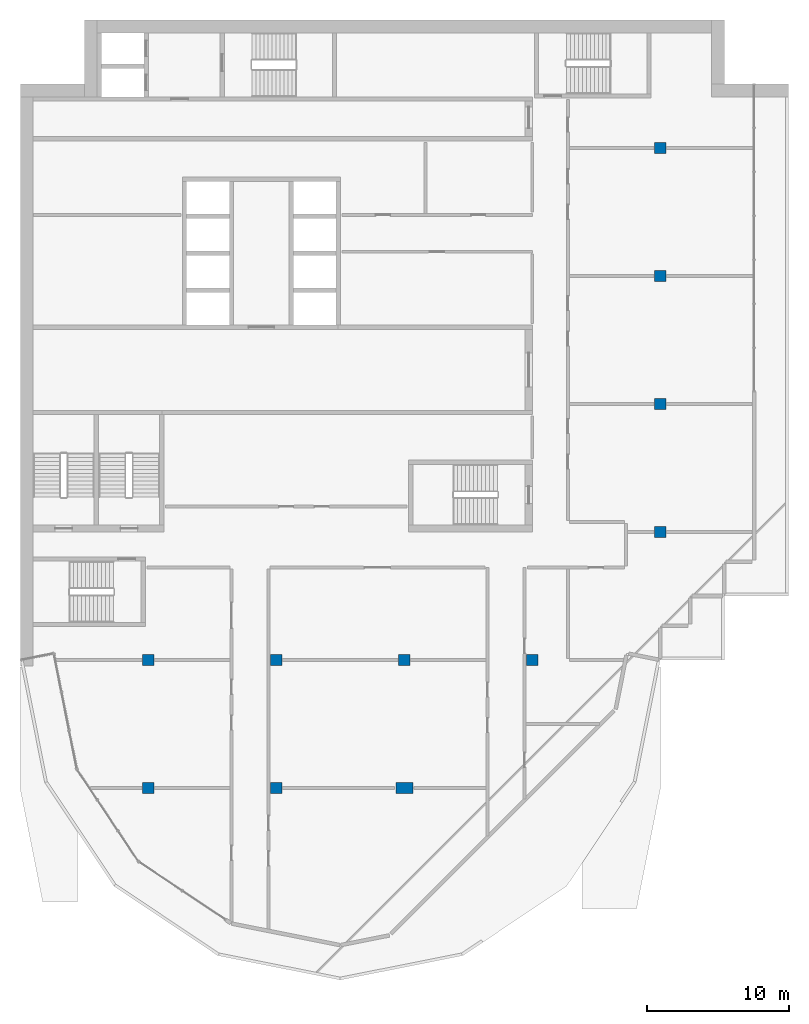
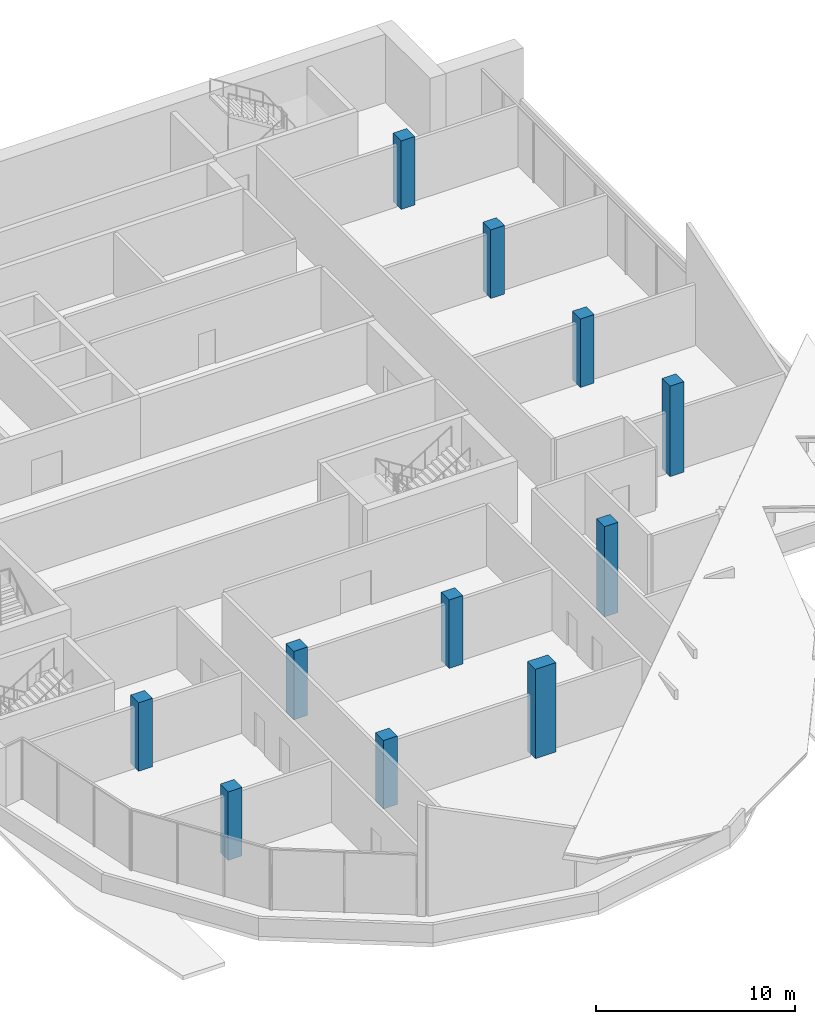
# One storey, part 1 of 11: 11 columns.
"""IFC4 building model written with IfcOpenShell, lengths in metres."""

import ifcopenshell
import ifcopenshell.guid

model = None  # the IFC model being written
_history = None  # IfcOwnerHistory: only IFC2X3 demands one
_inside = {}  # id of a spatial element -> (the spatial element, [elements in it])
_under = {}  # id of a project, library or spatial element -> (it, [spatial elements below it])
_declared = {}  # id of a project -> (the project, [libraries it declares])
_typed = {}  # id of a type object -> (the type object, [elements of that type])
_made_of = {}  # id of a material, layer set ... -> (it, [elements and type objects made of it])


def new_model(schema):
    """Start an empty IFC model of exactly this schema.

    Asked for "IFC4X3", IfcOpenShell would pick the latest addendum, in which some entities
    have other attributes; the version numbers below select the first issue.
    IFC2X3 requires an IfcOwnerHistory on every rooted entity: one is made here for all.
    """
    global model, _history
    if schema == "IFC4X3":
        model = ifcopenshell.file(schema_version=(4, 3, 0, 0))
    else:
        model = ifcopenshell.file(schema=schema)
    _inside.clear()
    _under.clear()
    _declared.clear()
    _typed.clear()
    _made_of.clear()
    _history = None
    if model.schema == "IFC2X3":
        org = make("IfcOrganization", Name="unknown")
        user = make(
            "IfcPersonAndOrganization",
            ThePerson=make("IfcPerson", FamilyName="unknown"),
            TheOrganization=org,
        )
        app = make(
            "IfcApplication",
            ApplicationDeveloper=org,
            Version="unknown",
            ApplicationFullName="unknown",
            ApplicationIdentifier="unknown",
        )
        _history = make(
            "IfcOwnerHistory",
            OwningUser=user,
            OwningApplication=app,
            ChangeAction="ADDED",
            CreationDate=0,
        )
    return model


def make(cls, **values):
    """One entity of the class cls with the attributes given. An attribute that is None is left unset."""
    return model.create_entity(
        cls, **{name: value for name, value in values.items() if value is not None}
    )


def rooted(cls, **values):
    """An entity with a GlobalId (a new one), such as an element, a storey or a relation."""
    return make(cls, GlobalId=ifcopenshell.guid.new(), OwnerHistory=_history, **values)


def si_unit(unit_type, name, prefix=None):
    """IfcSIUnit, for example si_unit("LENGTHUNIT", "METRE", prefix="MILLI")."""
    return make("IfcSIUnit", UnitType=unit_type, Prefix=prefix, Name=name)


def assignment(units):
    """IfcUnitAssignment: the units of a project."""
    return None if units is None else make("IfcUnitAssignment", Units=units)


def point(xyz):
    """IfcCartesianPoint."""
    return None if xyz is None else make("IfcCartesianPoint", Coordinates=xyz)


def direction(xyz):
    """IfcDirection."""
    return None if xyz is None else make("IfcDirection", DirectionRatios=xyz)


def frame(location, z_axis=None, x_axis=None):
    """IfcAxis2Placement3D, a coordinate frame: its origin and axes. An axis left out is left unset."""
    return make(
        "IfcAxis2Placement3D",
        Location=point(location),
        Axis=direction(z_axis),
        RefDirection=direction(x_axis),
    )


def frame_2d(location, x_axis=None):
    """IfcAxis2Placement2D, a coordinate frame in the plane: its origin and x axis."""
    return make(
        "IfcAxis2Placement2D", Location=point(location), RefDirection=direction(x_axis)
    )


def origin():
    """The frame at (0, 0, 0) with its axes left unset."""
    return frame((0.0, 0.0, 0.0))


def origin_2d():
    """The frame at (0, 0) in the plane with its x axis left unset."""
    return frame_2d((0.0, 0.0))


def place(relative_to, where):
    """IfcLocalPlacement: puts the frame where relative to a parent placement (None: the world)."""
    return make(
        "IfcLocalPlacement", PlacementRelTo=relative_to, RelativePlacement=where
    )


def context(
    kind, dimensions, precision=None, world=None, true_north=None, identifier=None
):
    """IfcGeometricRepresentationContext, for example the 3D "Model" context."""
    return make(
        "IfcGeometricRepresentationContext",
        ContextIdentifier=identifier,
        ContextType=kind,
        CoordinateSpaceDimension=dimensions,
        Precision=precision,
        WorldCoordinateSystem=world,
        TrueNorth=true_north,
    )


def subcontext(parent, identifier, kind, view, scale=None):
    """IfcGeometricRepresentationSubContext, for example "Body" below "Model"."""
    return make(
        "IfcGeometricRepresentationSubContext",
        ContextIdentifier=identifier,
        ContextType=kind,
        ParentContext=parent,
        TargetScale=scale,
        TargetView=view,
    )


def project(units=None, contexts=None):
    """IfcProject with its units and contexts."""
    return rooted(
        "IfcProject",
        Name="project",
        RepresentationContexts=contexts,
        UnitsInContext=assignment(units),
    )


def spatial(cls, under=None, at=None, **own):
    """A site, building, storey or space (cls), placed at a placement, below another one or the project."""
    s = rooted(cls, ObjectPlacement=at, **own)
    if under is not None:
        _under.setdefault(under.id(), (under, []))[1].append(s)
    return s


def profile(cls, at=None, kind="AREA", **sizes):
    """A parametric profile (cls). Its sizes go by their IFC names, for example OverallWidth=200.0."""
    return make(cls, ProfileType=kind, Position=at, **sizes)


def rectangle(**sizes):
    """IfcRectangleProfileDef."""
    return profile("IfcRectangleProfileDef", **sizes)


def extrude(swept, where, along, depth):
    """IfcExtrudedAreaSolid: the profile swept, set in the frame where, extruded along a direction by depth."""
    return make(
        "IfcExtrudedAreaSolid",
        SweptArea=swept,
        Position=where,
        ExtrudedDirection=direction(along),
        Depth=depth,
    )


def shape(context_of_items, identifier, shape_type, items):
    """IfcShapeRepresentation: the items that make up one representation, for example the "Body"."""
    return make(
        "IfcShapeRepresentation",
        ContextOfItems=context_of_items,
        RepresentationIdentifier=identifier,
        RepresentationType=shape_type,
        Items=items,
    )


def material(Name=None, Category=None):
    """IfcMaterial."""
    return make("IfcMaterial", Name=Name, Category=Category)


def material_profile(
    of_material, cross_section, Name=None, Category=None, Priority=None
):
    """IfcMaterialProfile: a cross section and its material."""
    return make(
        "IfcMaterialProfile",
        Name=Name,
        Material=of_material,
        Profile=cross_section,
        Priority=Priority,
        Category=Category,
    )


def profile_set(profiles, Name=None, composite=None):
    """IfcMaterialProfileSet."""
    return make(
        "IfcMaterialProfileSet",
        Name=Name,
        MaterialProfiles=profiles,
        CompositeProfile=composite,
    )


def made_of(thing, what):
    """Note that an element or type object is made of a material, layer set ...; save() writes the relation."""
    if what is not None:
        _made_of.setdefault(what.id(), (what, []))[1].append(thing)
    return thing


def type_object(cls, material=None, **own):
    """A type object (cls), such as IfcWallType, which elements share."""
    return made_of(rooted(cls, **own), material)


def element(
    cls,
    number,
    at=None,
    inside=None,
    cuts=None,
    type_object=None,
    material=None,
    context=None,
    identifier="Body",
    shape_type=None,
    held_by="IfcProductDefinitionShape",
    body=None,
    shapes=None,
    **own,
):
    """One element of the class cls, such as IfcWall. Its Tag is "e" and its number.

    at: its placement. inside: the storey or other place that contains it. cuts: it is an
    opening in that element (IfcRelVoidsElement). A single representation is given by context,
    identifier, shape_type and body (its items); several are given by shapes. held_by: the class
    of the entity that holds the representations. save() writes the other relations.
    """
    e = rooted(cls, Tag="e%d" % number, ObjectPlacement=at, **own)
    if body is not None:
        shapes = [shape(context, identifier, shape_type, body)]
    if shapes is not None:
        e.Representation = make(held_by, Representations=shapes)
    if inside is not None:
        _inside.setdefault(inside.id(), (inside, []))[1].append(e)
    if cuts is not None:
        rooted(
            "IfcRelVoidsElement", RelatingBuildingElement=cuts, RelatedOpeningElement=e
        )
    if type_object is not None:
        _typed.setdefault(type_object.id(), (type_object, []))[1].append(e)
    return made_of(e, material)


def aggregate(whole, parts):
    """IfcRelAggregates: a whole, such as a stair, and the parts it consists of."""
    return rooted("IfcRelAggregates", RelatingObject=whole, RelatedObjects=parts)


def save(model, path):
    """Write the relations noted so far, then the file.

    IfcRelAggregates (storeys below a building ...), IfcRelContainedInSpatialStructure (elements
    in a storey), IfcRelDefinesByType, IfcRelAssociatesMaterial and IfcRelDeclares: one each for
    every whole, place, type object, material and project.
    """
    for whole, parts in _under.values():
        aggregate(whole, parts)
    for where, things in _inside.values():
        rooted(
            "IfcRelContainedInSpatialStructure",
            RelatedElements=things,
            RelatingStructure=where,
        )
    for kind, things in _typed.values():
        rooted("IfcRelDefinesByType", RelatedObjects=things, RelatingType=kind)
    for what, things in _made_of.values():
        rooted("IfcRelAssociatesMaterial", RelatedObjects=things, RelatingMaterial=what)
    for by, libraries in _declared.values():
        rooted("IfcRelDeclares", RelatingContext=by, RelatedDefinitions=libraries)
    model.write(path)


model = new_model("IFC4")

# Units and contexts
model_context = context("Model", 3, precision=1e-05, world=origin(), true_north=direction((0.0, 1.0)))
body_context = subcontext(model_context, "Body", "Model", "MODEL_VIEW")
ifc_project = project(units=[si_unit("LENGTHUNIT", "METRE"), si_unit("AREAUNIT", "SQUARE_METRE"), si_unit("VOLUMEUNIT", "CUBIC_METRE"), si_unit("PLANEANGLEUNIT", "RADIAN"), si_unit("MASSUNIT", "GRAM", prefix="KILO")], contexts=[model_context])

# Site, building, storey
site_placement = place(None, origin())
site = spatial("IfcSite", under=ifc_project, at=site_placement, CompositionType="ELEMENT")
building_placement = place(site_placement, origin())
building = spatial("IfcBuilding", under=site, at=building_placement, Name="Hunhe Ridgeline Campus", CompositionType="ELEMENT")
storey_placement = place(building_placement, frame((0.0, 0.0, 303.0)))
storey = spatial("IfcBuildingStorey", under=building, at=storey_placement, Name="L78 Crown", CompositionType="ELEMENT", Elevation=303.0)

# Columns
ifc_material = material(Name="Concrete C50", Category="concrete")
ifc_material_profile_1 = material_profile(ifc_material, rectangle(XDim=1.199951171875, YDim=0.800048828125, at=origin_2d()))
ifc_profile_set_1 = profile_set([ifc_material_profile_1], Name="Concrete C50")
column_type_1 = type_object("IfcColumnType", Name="Megacolumn 1200x800 Concrete C50", PredefinedType="COLUMN", material=ifc_profile_set_1)
column_placement = place(storey_placement, frame((27.0, 45.0, 0.0), z_axis=(0.0, 0.0, 1.0), x_axis=(1.0, 0.0, 0.0)))
element("IfcColumn", 1, at=column_placement, inside=storey, type_object=column_type_1, Name="Column C19 F4 L78 Crown", PredefinedType="COLUMN", context=body_context, shape_type="SweptSolid", body=[
    extrude(rectangle(XDim=1.199951171875, YDim=0.800048828125, at=origin_2d()), origin(), (0.0, 0.0, 1.0), 5.4736328125),
])
ifc_material_profile_2 = material_profile(ifc_material, rectangle(XDim=0.800048828125, YDim=0.800048828125, at=origin_2d()))
ifc_profile_set_2 = profile_set([ifc_material_profile_2], Name="Concrete C50")
column_type_2 = type_object("IfcColumnType", Name="RC column 800x800 Concrete C50", PredefinedType="COLUMN", material=ifc_profile_set_2)
for number, where, z_axis, x_axis, name in (
    (2, (9.0, 45.0, 0.0), (0.0, 0.0, 1.0), (1.0, 0.0, 0.0), "Column C17 F2 L78 Crown"),
    (3, (9.0, 54.0, 0.0), (0.0, 0.0, 1.0), (1.0, 0.0, 0.0), "Column C17 G2 L78 Crown"),
    (4, (18.0, 45.0, 0.0), (0.0, 0.0, 1.0), (1.0, 0.0, 0.0), "Column C17 F3 L78 Crown"),
    (5, (18.0, 54.0, 0.0), (0.0, 0.0, 1.0), (1.0, 0.0, 0.0), "Column C17 G3 L78 Crown"),
    (6, (27.0, 54.0, 0.0), (0.0, 0.0, 1.0), (1.0, 0.0, 0.0), "Column C17 G4 L78 Crown"),
):
    element("IfcColumn", number, at=place(storey_placement, frame(where, z_axis=z_axis, x_axis=x_axis)), inside=storey, type_object=column_type_2, Name=name, PredefinedType="COLUMN", context=body_context, shape_type="SweptSolid", body=[
        extrude(rectangle(XDim=0.800048828125, YDim=0.800048828125, at=origin_2d()), origin(), (0.0, 0.0, 1.0), 4.199951171875),
    ])
for number, where, z_axis, x_axis, name in (
    (7, (36.0, 54.0, 0.0), (0.0, 0.0, 1.0), (1.0, 0.0, 0.0), "Column C17 G5 L78 Crown"),
    (8, (45.0, 63.0, 0.0), (0.0, 0.0, 1.0), (1.0, 0.0, 0.0), "Column C17 H6 L78 Crown"),
):
    element("IfcColumn", number, at=place(storey_placement, frame(where, z_axis=z_axis, x_axis=x_axis)), inside=storey, type_object=column_type_2, Name=name, PredefinedType="COLUMN", context=body_context, shape_type="SweptSolid", body=[
        extrude(rectangle(XDim=0.800048828125, YDim=0.800048828125, at=origin_2d()), origin(), (0.0, 0.0, 1.0), 5.540283203125),
    ])
for number, where, z_axis, x_axis, name in (
    (9, (45.0, 72.0, 0.0), (0.0, 0.0, 1.0), (1.0, 0.0, 0.0), "Column C17 I6 L78 Crown"),
    (10, (45.0, 81.0, 0.0), (0.0, 0.0, 1.0), (1.0, 0.0, 0.0), "Column C17 J6 L78 Crown"),
    (11, (45.0, 90.0, 0.0), (0.0, 0.0, 1.0), (1.0, 0.0, 0.0), "Column C17 K6 L78 Crown"),
):
    element("IfcColumn", number, at=place(storey_placement, frame(where, z_axis=z_axis, x_axis=x_axis)), inside=storey, type_object=column_type_2, Name=name, PredefinedType="COLUMN", context=body_context, shape_type="SweptSolid", body=[
        extrude(rectangle(XDim=0.800048828125, YDim=0.800048828125, at=origin_2d()), origin(), (0.0, 0.0, 1.0), 4.199951171875),
    ])

save(model, "model.ifc")
